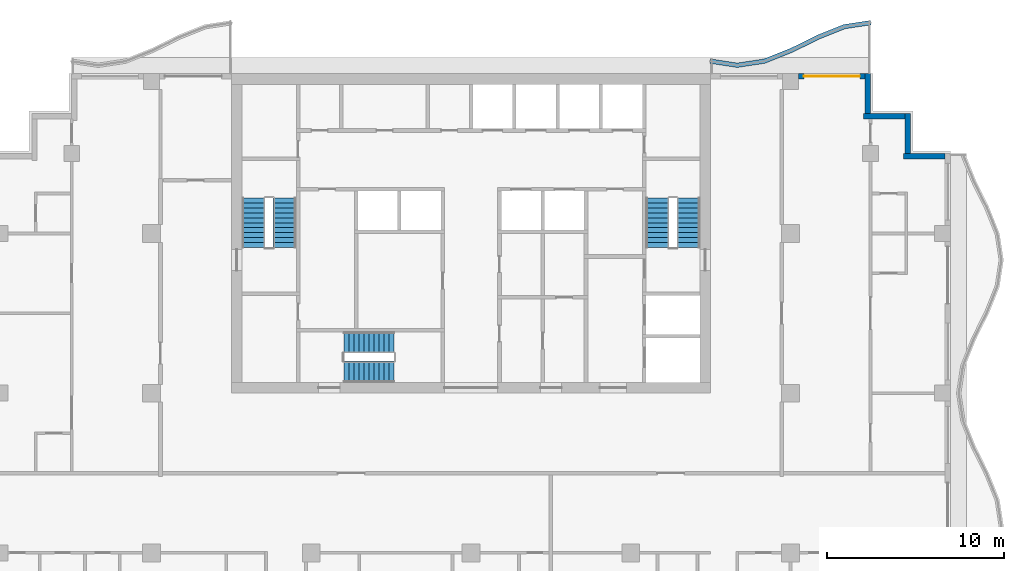
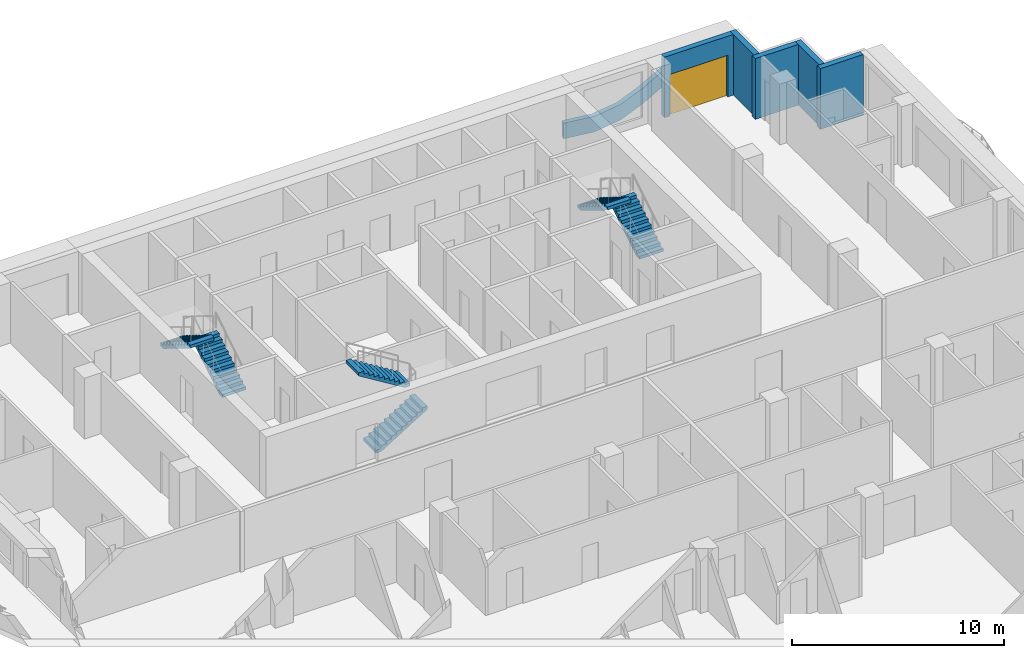
# One storey, part 7 of 11: 6 stair flights, 6 walls, 1 door, 1 opening, 3 elements without a shape of their own.
"""IFC4 building model written with IfcOpenShell, lengths in metres."""

from ifc_helpers import new_model, si_unit, direction, frame, frame_2d, origin, place, context, subcontext, project, spatial, polyline, rectangle, outline, extrude, material, layer, layer_set, type_object, element, fill, aggregate, save


model = new_model("IFC4")

# Units and contexts
model_context = context("Model", 3, precision=1e-05, world=origin(), true_north=direction((0.0, 1.0)))
body_context = subcontext(model_context, "Body", "Model", "MODEL_VIEW")
ifc_project = project(units=[si_unit("LENGTHUNIT", "METRE"), si_unit("AREAUNIT", "SQUARE_METRE"), si_unit("VOLUMEUNIT", "CUBIC_METRE"), si_unit("PLANEANGLEUNIT", "RADIAN"), si_unit("MASSUNIT", "GRAM", prefix="KILO")], contexts=[model_context])

# Site, building, storey
site_placement = place(None, origin())
site = spatial("IfcSite", under=ifc_project, at=site_placement, CompositionType="ELEMENT")
building_placement = place(site_placement, origin())
building = spatial("IfcBuilding", under=site, at=building_placement, Name="Orbiselva Terraces", CompositionType="ELEMENT")
storey_placement = place(building_placement, frame((0.0, 0.0, 250.2)))
storey = spatial("IfcBuildingStorey", under=building, at=storey_placement, Name="L63", CompositionType="ELEMENT", Elevation=250.2)

# Walls
ifc_material_1 = material(Name="Concrete C40/50", Category="concrete")
ifc_layer_1 = layer(ifc_material_1, 0.25)
ifc_layer_set_1 = layer_set([ifc_layer_1], Name="Concrete C40/50")
wall_type_1 = type_object("IfcWallType", Name="ENV-PLANTER-250x900", PredefinedType="USERDEFINED", material=ifc_layer_set_1)
wall_1_placement = place(storey_placement, origin())
element("IfcWall", 1, at=wall_1_placement, inside=storey, type_object=wall_type_1, Name="Balcony planter L63 NE", ObjectType="PLANTER", PredefinedType="USERDEFINED", context=body_context, shape_type="SweptSolid", body=[
    extrude(outline(polyline([(22.5, 25.5), (21.0, 25.27082), (19.5, 24.67082), (18.0, 23.92918), (16.5, 23.32918), (15.0, 23.1), (13.5, 23.32918), (13.462242, 23.082048), (15.0, 22.847099), (16.566166, 23.086388), (18.101983, 23.700715), (19.601983, 24.442355), (21.066166, 25.028028), (22.537758, 25.252868), (22.5, 25.5)])), origin(), (0.0, 0.0, 1.0), 0.9),
])
ifc_material_2 = material(Name="Terracotta cladding on masonry backing", Category="masonry")
ifc_layer_2 = layer(ifc_material_2, 0.3)
ifc_layer_set_2 = layer_set([ifc_layer_2], Name="Terracotta cladding on masonry backing")
wall_type_2 = type_object("IfcWallType", Name="ENV-WALL-TERRACOTTA-300", PredefinedType="SOLIDWALL", material=ifc_layer_set_2)
wall_2_placement = place(storey_placement, frame((24.35, 17.85, 0.0), z_axis=(0.0, 0.0, 1.0), x_axis=(1.0, 0.0, 0.0)))
element("IfcWall", 2, at=wall_2_placement, inside=storey, type_object=wall_type_2, Name="Facade wall L63 STEP", PredefinedType="SOLIDWALL", context=body_context, shape_type="SweptSolid", body=[
    extrude(rectangle(XDim=2.35, YDim=0.3, at=frame_2d((1.175, 0.0))), origin(), (0.0, 0.0, 1.0), 3.5),
])
wall_3_placement = place(storey_placement, frame((24.6, 20.25, 0.0), z_axis=(0.0, 0.0, 1.0), x_axis=(0.0, -1.0, 0.0)))
element("IfcWall", 3, at=wall_3_placement, inside=storey, type_object=wall_type_2, Name="Facade wall L63 STEP", PredefinedType="SOLIDWALL", context=body_context, shape_type="SweptSolid", body=[
    extrude(rectangle(XDim=2.25, YDim=0.3, at=frame_2d((1.125, 0.0))), origin(), (0.0, 0.0, 1.0), 3.5),
])
wall_4_placement = place(storey_placement, frame((22.1, 20.1, 0.0), z_axis=(0.0, 0.0, 1.0), x_axis=(1.0, 0.0, 0.0)))
element("IfcWall", 4, at=wall_4_placement, inside=storey, type_object=wall_type_2, Name="Facade wall L63 STEP", PredefinedType="SOLIDWALL", context=body_context, shape_type="SweptSolid", body=[
    extrude(rectangle(XDim=2.35, YDim=0.3, at=frame_2d((1.175, 0.0))), origin(), (0.0, 0.0, 1.0), 3.5),
])
wall_5_placement = place(storey_placement, frame((22.35, 22.5, 0.0), z_axis=(0.0, 0.0, 1.0), x_axis=(0.0, -1.0, 0.0)))
element("IfcWall", 5, at=wall_5_placement, inside=storey, type_object=wall_type_2, Name="Facade wall L63 STEP", PredefinedType="SOLIDWALL", context=body_context, shape_type="SweptSolid", body=[
    extrude(rectangle(XDim=2.25, YDim=0.3, at=frame_2d((1.125, 0.0))), origin(), (0.0, 0.0, 1.0), 3.5),
])

# Wall, opening, door
wall_6_placement = place(storey_placement, frame((18.45, 22.35, 0.0), z_axis=(0.0, 0.0, 1.0), x_axis=(1.0, 0.0, 0.0)))
wall_6 = element("IfcWall", 6, at=wall_6_placement, inside=storey, type_object=wall_type_2, Name="Facade wall L63 NE", PredefinedType="SOLIDWALL", context=body_context, shape_type="SweptSolid", body=[
    extrude(rectangle(XDim=3.75, YDim=0.3, at=frame_2d((1.875, 0.0))), origin(), (0.0, 0.0, 1.0), 3.5),
])
opening_placement = place(wall_6_placement, frame((0.3, 0.0, 0.0)))
opening = element("IfcOpeningElement", 7, at=opening_placement, cuts=wall_6, Name="Opening Z5-B-E08", PredefinedType="OPENING", context=body_context, shape_type="SweptSolid", body=[
    extrude(rectangle(XDim=3.15, YDim=2.4, at=frame_2d((1.575, 1.2))), frame((0.0, 0.16, 0.0), z_axis=(0.0, -1.0, 0.0), x_axis=(1.0, 0.0, 0.0)), (0.0, 0.0, 1.0), 0.32),
])
ifc_material_3 = material(Name="Clear low-e glazing in aluminium frame", Category="aluminium")
door_type = type_object("IfcDoorType", Name="BALCONY DOOR 3150 X 2400", OperationType="DOUBLE_DOOR_SLIDING", PredefinedType="DOOR", material=ifc_material_3)
door_placement = place(opening_placement, origin())
door = element("IfcDoor", 8, at=door_placement, inside=storey, type_object=door_type, Name="Z5-B-E08", OperationType="SINGLE_SWING_LEFT", OverallHeight=2.4, OverallWidth=3.15, PredefinedType="DOOR", context=body_context, shape_type="SweptSolid", body=[
    extrude(rectangle(XDim=3.15, YDim=2.4, at=frame_2d((1.575, 1.2))), frame((0.0, 0.025, 0.0), z_axis=(0.0, -1.0, 0.0), x_axis=(1.0, 0.0, 0.0)), (0.0, 0.0, 1.0), 0.05),
])
fill(opening, door)

# Stair, stair flights
stair_type_1 = type_object("IfcStairType", Name="CORE-STAIR-1200", PredefinedType="HALF_TURN_STAIR", material=ifc_material_1)
stair_1_placement = place(storey_placement, origin())
stair_1 = element("IfcStair", 9, at=stair_1_placement, inside=storey, type_object=stair_type_1, Name="L63 Exit Stair S3", PredefinedType="HALF_TURN_STAIR")
stair_flight_type_1 = type_object("IfcStairFlightType", Name="CORE-STAIR-FLIGHT-1200", PredefinedType="STRAIGHT", material=ifc_material_1)
stair_flight_1_placement = place(storey_placement, frame((-7.15, 5.7, 0.0), z_axis=(0.0, 0.0, 1.0), x_axis=(1.0, 0.0, 0.0)))
stair_flight_1 = element("IfcStairFlight", 10, at=stair_flight_1_placement, type_object=stair_flight_type_1, Name="S3 flight 1", NumberOfRisers=11, NumberOfTreads=10, PredefinedType="STRAIGHT", RiserHeight=0.172727273, TreadLength=0.28, context=body_context, shape_type="SweptSolid", body=[
    extrude(outline(polyline([(0.0, 0.0), (0.0, 0.172727), (0.28, 0.172727), (0.28, 0.345455), (0.56, 0.345455), (0.56, 0.518182), (0.84, 0.518182), (0.84, 0.690909), (1.12, 0.690909), (1.12, 0.863636), (1.4, 0.863636), (1.4, 1.036364), (1.68, 1.036364), (1.68, 1.209091), (1.96, 1.209091), (1.96, 1.381818), (2.24, 1.381818), (2.24, 1.554545), (2.52, 1.554545), (2.52, 1.727273), (2.8, 1.727273), (2.8, 1.9), (2.8, 1.551028), (0.285702, 0.0), (0.0, 0.0)])), frame((0.0, 0.6, 0.0), z_axis=(0.0, -1.0, 0.0), x_axis=(1.0, 0.0, 0.0)), (0.0, 0.0, 1.0), 1.2),
])
stair_flight_2_placement = place(storey_placement, frame((-4.35, 7.35, 1.9), z_axis=(0.0, 0.0, 1.0), x_axis=(-1.0, 0.0, 0.0)))
stair_flight_2 = element("IfcStairFlight", 11, at=stair_flight_2_placement, type_object=stair_flight_type_1, Name="S3 flight 2", NumberOfRisers=11, NumberOfTreads=10, PredefinedType="STRAIGHT", RiserHeight=0.172727273, TreadLength=0.28, context=body_context, shape_type="SweptSolid", body=[
    extrude(outline(polyline([(0.0, 0.0), (0.0, 0.172727), (0.28, 0.172727), (0.28, 0.345455), (0.56, 0.345455), (0.56, 0.518182), (0.84, 0.518182), (0.84, 0.690909), (1.12, 0.690909), (1.12, 0.863636), (1.4, 0.863636), (1.4, 1.036364), (1.68, 1.036364), (1.68, 1.209091), (1.96, 1.209091), (1.96, 1.381818), (2.24, 1.381818), (2.24, 1.554545), (2.52, 1.554545), (2.52, 1.727273), (2.8, 1.727273), (2.8, 1.9), (2.8, 1.551028), (0.285702, 0.0), (0.0, 0.0)])), frame((0.0, 0.6, 0.0), z_axis=(0.0, -1.0, 0.0), x_axis=(1.0, 0.0, 0.0)), (0.0, 0.0, 1.0), 1.2),
])
aggregate(stair_1, [stair_flight_1, stair_flight_2])

stair_type_2 = type_object("IfcStairType", Name="CORE-STAIR-1300", PredefinedType="HALF_TURN_STAIR", material=ifc_material_1)
stair_2_placement = place(storey_placement, origin())
stair_2 = element("IfcStair", 12, at=stair_2_placement, inside=storey, type_object=stair_type_2, Name="L63 Exit Stair S1", PredefinedType="HALF_TURN_STAIR")
stair_flight_type_2 = type_object("IfcStairFlightType", Name="CORE-STAIR-FLIGHT-1300", PredefinedType="STRAIGHT", material=ifc_material_1)
stair_flight_3_placement = place(storey_placement, frame((-10.5, 12.7, 0.0), z_axis=(0.0, 0.0, 1.0), x_axis=(0.0, 1.0, 0.0)))
stair_flight_3 = element("IfcStairFlight", 13, at=stair_flight_3_placement, type_object=stair_flight_type_2, Name="S1 flight 1", NumberOfRisers=11, NumberOfTreads=10, PredefinedType="STRAIGHT", RiserHeight=0.172727273, TreadLength=0.28, context=body_context, shape_type="SweptSolid", body=[
    extrude(outline(polyline([(0.0, 0.0), (0.0, 0.172727), (0.28, 0.172727), (0.28, 0.345455), (0.56, 0.345455), (0.56, 0.518182), (0.84, 0.518182), (0.84, 0.690909), (1.12, 0.690909), (1.12, 0.863636), (1.4, 0.863636), (1.4, 1.036364), (1.68, 1.036364), (1.68, 1.209091), (1.96, 1.209091), (1.96, 1.381818), (2.24, 1.381818), (2.24, 1.554545), (2.52, 1.554545), (2.52, 1.727273), (2.8, 1.727273), (2.8, 1.9), (2.8, 1.551028), (0.285702, 0.0), (0.0, 0.0)])), frame((0.0, 0.65, 0.0), z_axis=(0.0, -1.0, 0.0), x_axis=(1.0, 0.0, 0.0)), (0.0, 0.0, 1.0), 1.3),
])
stair_flight_4_placement = place(storey_placement, frame((-12.25, 15.5, 1.9), z_axis=(0.0, 0.0, 1.0), x_axis=(0.0, -1.0, 0.0)))
stair_flight_4 = element("IfcStairFlight", 14, at=stair_flight_4_placement, type_object=stair_flight_type_2, Name="S1 flight 2", NumberOfRisers=11, NumberOfTreads=10, PredefinedType="STRAIGHT", RiserHeight=0.172727273, TreadLength=0.28, context=body_context, shape_type="SweptSolid", body=[
    extrude(outline(polyline([(0.0, 0.0), (0.0, 0.172727), (0.28, 0.172727), (0.28, 0.345455), (0.56, 0.345455), (0.56, 0.518182), (0.84, 0.518182), (0.84, 0.690909), (1.12, 0.690909), (1.12, 0.863636), (1.4, 0.863636), (1.4, 1.036364), (1.68, 1.036364), (1.68, 1.209091), (1.96, 1.209091), (1.96, 1.381818), (2.24, 1.381818), (2.24, 1.554545), (2.52, 1.554545), (2.52, 1.727273), (2.8, 1.727273), (2.8, 1.9), (2.8, 1.551028), (0.285702, 0.0), (0.0, 0.0)])), frame((0.0, 0.65, 0.0), z_axis=(0.0, -1.0, 0.0), x_axis=(1.0, 0.0, 0.0)), (0.0, 0.0, 1.0), 1.3),
])
aggregate(stair_2, [stair_flight_3, stair_flight_4])

stair_3_placement = place(storey_placement, origin())
stair_3 = element("IfcStair", 15, at=stair_3_placement, inside=storey, type_object=stair_type_2, Name="L63 Exit Stair S2", PredefinedType="HALF_TURN_STAIR")
stair_flight_5_placement = place(storey_placement, frame((12.25, 12.7, 0.0), z_axis=(0.0, 0.0, 1.0), x_axis=(0.0, 1.0, 0.0)))
stair_flight_5 = element("IfcStairFlight", 16, at=stair_flight_5_placement, type_object=stair_flight_type_2, Name="S2 flight 1", NumberOfRisers=11, NumberOfTreads=10, PredefinedType="STRAIGHT", RiserHeight=0.172727273, TreadLength=0.28, context=body_context, shape_type="SweptSolid", body=[
    extrude(outline(polyline([(0.0, 0.0), (0.0, 0.172727), (0.28, 0.172727), (0.28, 0.345455), (0.56, 0.345455), (0.56, 0.518182), (0.84, 0.518182), (0.84, 0.690909), (1.12, 0.690909), (1.12, 0.863636), (1.4, 0.863636), (1.4, 1.036364), (1.68, 1.036364), (1.68, 1.209091), (1.96, 1.209091), (1.96, 1.381818), (2.24, 1.381818), (2.24, 1.554545), (2.52, 1.554545), (2.52, 1.727273), (2.8, 1.727273), (2.8, 1.9), (2.8, 1.551028), (0.285702, 0.0), (0.0, 0.0)])), frame((0.0, 0.65, 0.0), z_axis=(0.0, -1.0, 0.0), x_axis=(1.0, 0.0, 0.0)), (0.0, 0.0, 1.0), 1.3),
])
stair_flight_6_placement = place(storey_placement, frame((10.5, 15.5, 1.9), z_axis=(0.0, 0.0, 1.0), x_axis=(0.0, -1.0, 0.0)))
stair_flight_6 = element("IfcStairFlight", 17, at=stair_flight_6_placement, type_object=stair_flight_type_2, Name="S2 flight 2", NumberOfRisers=11, NumberOfTreads=10, PredefinedType="STRAIGHT", RiserHeight=0.172727273, TreadLength=0.28, context=body_context, shape_type="SweptSolid", body=[
    extrude(outline(polyline([(0.0, 0.0), (0.0, 0.172727), (0.28, 0.172727), (0.28, 0.345455), (0.56, 0.345455), (0.56, 0.518182), (0.84, 0.518182), (0.84, 0.690909), (1.12, 0.690909), (1.12, 0.863636), (1.4, 0.863636), (1.4, 1.036364), (1.68, 1.036364), (1.68, 1.209091), (1.96, 1.209091), (1.96, 1.381818), (2.24, 1.381818), (2.24, 1.554545), (2.52, 1.554545), (2.52, 1.727273), (2.8, 1.727273), (2.8, 1.9), (2.8, 1.551028), (0.285702, 0.0), (0.0, 0.0)])), frame((0.0, 0.65, 0.0), z_axis=(0.0, -1.0, 0.0), x_axis=(1.0, 0.0, 0.0)), (0.0, 0.0, 1.0), 1.3),
])
aggregate(stair_3, [stair_flight_5, stair_flight_6])

save(model, "model.ifc")
